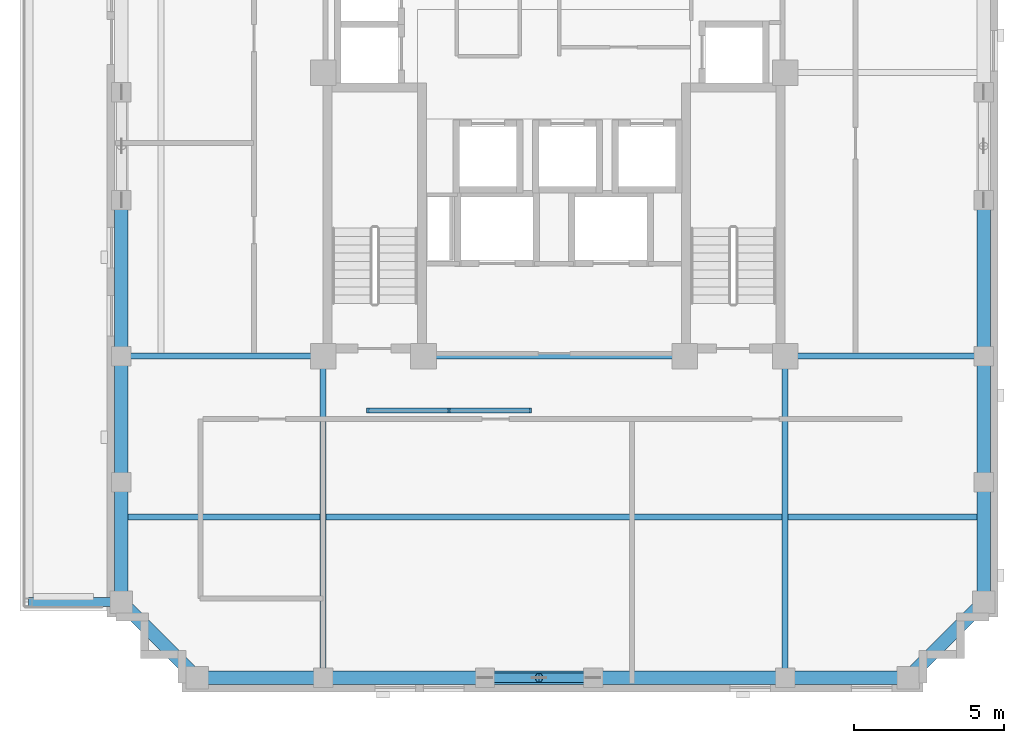
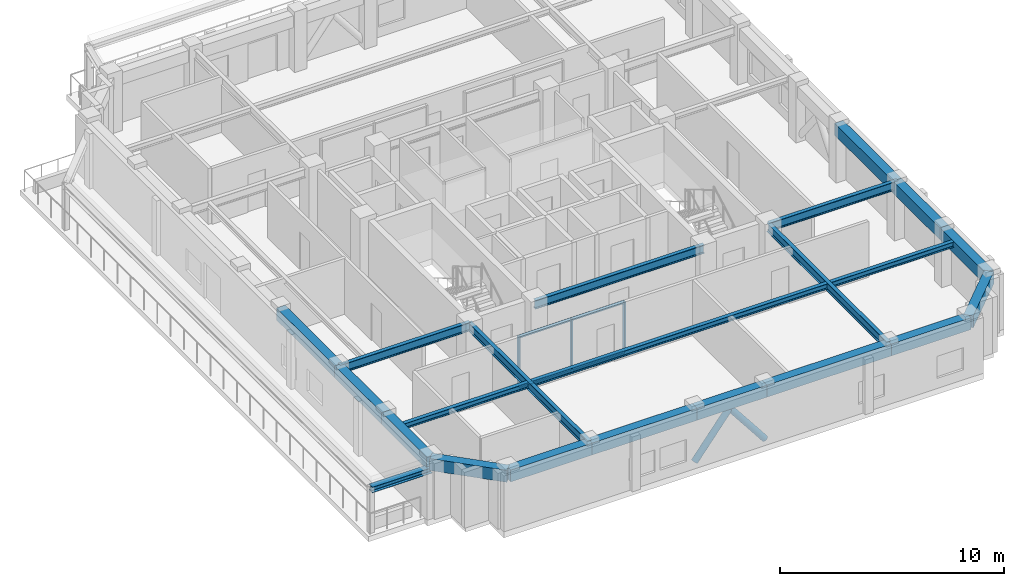
# One storey, part 4 of 14: 22 beams, 9 members, 1 element without a shape of its own.
"""IFC4 building model written with IfcOpenShell, lengths in metres."""

import ifcopenshell
import ifcopenshell.guid

model = None  # the IFC model being written
_history = None  # IfcOwnerHistory: only IFC2X3 demands one
_inside = {}  # id of a spatial element -> (the spatial element, [elements in it])
_under = {}  # id of a project, library or spatial element -> (it, [spatial elements below it])
_declared = {}  # id of a project -> (the project, [libraries it declares])
_typed = {}  # id of a type object -> (the type object, [elements of that type])
_made_of = {}  # id of a material, layer set ... -> (it, [elements and type objects made of it])


def new_model(schema):
    """Start an empty IFC model of exactly this schema.

    Asked for "IFC4X3", IfcOpenShell would pick the latest addendum, in which some entities
    have other attributes; the version numbers below select the first issue.
    IFC2X3 requires an IfcOwnerHistory on every rooted entity: one is made here for all.
    """
    global model, _history
    if schema == "IFC4X3":
        model = ifcopenshell.file(schema_version=(4, 3, 0, 0))
    else:
        model = ifcopenshell.file(schema=schema)
    _inside.clear()
    _under.clear()
    _declared.clear()
    _typed.clear()
    _made_of.clear()
    _history = None
    if model.schema == "IFC2X3":
        org = make("IfcOrganization", Name="unknown")
        user = make(
            "IfcPersonAndOrganization",
            ThePerson=make("IfcPerson", FamilyName="unknown"),
            TheOrganization=org,
        )
        app = make(
            "IfcApplication",
            ApplicationDeveloper=org,
            Version="unknown",
            ApplicationFullName="unknown",
            ApplicationIdentifier="unknown",
        )
        _history = make(
            "IfcOwnerHistory",
            OwningUser=user,
            OwningApplication=app,
            ChangeAction="ADDED",
            CreationDate=0,
        )
    return model


def make(cls, **values):
    """One entity of the class cls with the attributes given. An attribute that is None is left unset."""
    return model.create_entity(
        cls, **{name: value for name, value in values.items() if value is not None}
    )


def rooted(cls, **values):
    """An entity with a GlobalId (a new one), such as an element, a storey or a relation."""
    return make(cls, GlobalId=ifcopenshell.guid.new(), OwnerHistory=_history, **values)


def si_unit(unit_type, name, prefix=None):
    """IfcSIUnit, for example si_unit("LENGTHUNIT", "METRE", prefix="MILLI")."""
    return make("IfcSIUnit", UnitType=unit_type, Prefix=prefix, Name=name)


def derived_unit(unit_type, elements):
    """IfcDerivedUnit: a product of units, each with its exponent."""
    return make(
        "IfcDerivedUnit",
        Elements=[
            make("IfcDerivedUnitElement", Unit=unit, Exponent=power)
            for unit, power in elements
        ],
        UnitType=unit_type,
    )


def assignment(units):
    """IfcUnitAssignment: the units of a project."""
    return None if units is None else make("IfcUnitAssignment", Units=units)


def point(xyz):
    """IfcCartesianPoint."""
    return None if xyz is None else make("IfcCartesianPoint", Coordinates=xyz)


def direction(xyz):
    """IfcDirection."""
    return None if xyz is None else make("IfcDirection", DirectionRatios=xyz)


def frame(location, z_axis=None, x_axis=None):
    """IfcAxis2Placement3D, a coordinate frame: its origin and axes. An axis left out is left unset."""
    return make(
        "IfcAxis2Placement3D",
        Location=point(location),
        Axis=direction(z_axis),
        RefDirection=direction(x_axis),
    )


def frame_2d(location, x_axis=None):
    """IfcAxis2Placement2D, a coordinate frame in the plane: its origin and x axis."""
    return make(
        "IfcAxis2Placement2D", Location=point(location), RefDirection=direction(x_axis)
    )


def origin():
    """The frame at (0, 0, 0) with its axes left unset."""
    return frame((0.0, 0.0, 0.0))


def origin_2d():
    """The frame at (0, 0) in the plane with its x axis left unset."""
    return frame_2d((0.0, 0.0))


def place(relative_to, where):
    """IfcLocalPlacement: puts the frame where relative to a parent placement (None: the world)."""
    return make(
        "IfcLocalPlacement", PlacementRelTo=relative_to, RelativePlacement=where
    )


def context(
    kind, dimensions, precision=None, world=None, true_north=None, identifier=None
):
    """IfcGeometricRepresentationContext, for example the 3D "Model" context."""
    return make(
        "IfcGeometricRepresentationContext",
        ContextIdentifier=identifier,
        ContextType=kind,
        CoordinateSpaceDimension=dimensions,
        Precision=precision,
        WorldCoordinateSystem=world,
        TrueNorth=true_north,
    )


def subcontext(parent, identifier, kind, view, scale=None):
    """IfcGeometricRepresentationSubContext, for example "Body" below "Model"."""
    return make(
        "IfcGeometricRepresentationSubContext",
        ContextIdentifier=identifier,
        ContextType=kind,
        ParentContext=parent,
        TargetScale=scale,
        TargetView=view,
    )


def project(units=None, contexts=None):
    """IfcProject with its units and contexts."""
    return rooted(
        "IfcProject",
        Name="project",
        RepresentationContexts=contexts,
        UnitsInContext=assignment(units),
    )


def spatial(cls, under=None, at=None, **own):
    """A site, building, storey or space (cls), placed at a placement, below another one or the project."""
    s = rooted(cls, ObjectPlacement=at, **own)
    if under is not None:
        _under.setdefault(under.id(), (under, []))[1].append(s)
    return s


def profile(cls, at=None, kind="AREA", **sizes):
    """A parametric profile (cls). Its sizes go by their IFC names, for example OverallWidth=200.0."""
    return make(cls, ProfileType=kind, Position=at, **sizes)


def rectangle(**sizes):
    """IfcRectangleProfileDef."""
    return profile("IfcRectangleProfileDef", **sizes)


def hollow_circle(**sizes):
    """IfcCircleHollowProfileDef."""
    return profile("IfcCircleHollowProfileDef", **sizes)


def i_section(**sizes):
    """IfcIShapeProfileDef."""
    return profile("IfcIShapeProfileDef", **sizes)


def extrude(swept, where, along, depth):
    """IfcExtrudedAreaSolid: the profile swept, set in the frame where, extruded along a direction by depth."""
    return make(
        "IfcExtrudedAreaSolid",
        SweptArea=swept,
        Position=where,
        ExtrudedDirection=direction(along),
        Depth=depth,
    )


def shape(context_of_items, identifier, shape_type, items):
    """IfcShapeRepresentation: the items that make up one representation, for example the "Body"."""
    return make(
        "IfcShapeRepresentation",
        ContextOfItems=context_of_items,
        RepresentationIdentifier=identifier,
        RepresentationType=shape_type,
        Items=items,
    )


def material(Name=None, Category=None):
    """IfcMaterial."""
    return make("IfcMaterial", Name=Name, Category=Category)


def material_profile(
    of_material, cross_section, Name=None, Category=None, Priority=None
):
    """IfcMaterialProfile: a cross section and its material."""
    return make(
        "IfcMaterialProfile",
        Name=Name,
        Material=of_material,
        Profile=cross_section,
        Priority=Priority,
        Category=Category,
    )


def profile_set(profiles, Name=None, composite=None):
    """IfcMaterialProfileSet."""
    return make(
        "IfcMaterialProfileSet",
        Name=Name,
        MaterialProfiles=profiles,
        CompositeProfile=composite,
    )


def made_of(thing, what):
    """Note that an element or type object is made of a material, layer set ...; save() writes the relation."""
    if what is not None:
        _made_of.setdefault(what.id(), (what, []))[1].append(thing)
    return thing


def type_object(cls, material=None, **own):
    """A type object (cls), such as IfcWallType, which elements share."""
    return made_of(rooted(cls, **own), material)


def element(
    cls,
    number,
    at=None,
    inside=None,
    cuts=None,
    type_object=None,
    material=None,
    context=None,
    identifier="Body",
    shape_type=None,
    held_by="IfcProductDefinitionShape",
    body=None,
    shapes=None,
    **own,
):
    """One element of the class cls, such as IfcWall. Its Tag is "e" and its number.

    at: its placement. inside: the storey or other place that contains it. cuts: it is an
    opening in that element (IfcRelVoidsElement). A single representation is given by context,
    identifier, shape_type and body (its items); several are given by shapes. held_by: the class
    of the entity that holds the representations. save() writes the other relations.
    """
    e = rooted(cls, Tag="e%d" % number, ObjectPlacement=at, **own)
    if body is not None:
        shapes = [shape(context, identifier, shape_type, body)]
    if shapes is not None:
        e.Representation = make(held_by, Representations=shapes)
    if inside is not None:
        _inside.setdefault(inside.id(), (inside, []))[1].append(e)
    if cuts is not None:
        rooted(
            "IfcRelVoidsElement", RelatingBuildingElement=cuts, RelatedOpeningElement=e
        )
    if type_object is not None:
        _typed.setdefault(type_object.id(), (type_object, []))[1].append(e)
    return made_of(e, material)


def aggregate(whole, parts):
    """IfcRelAggregates: a whole, such as a stair, and the parts it consists of."""
    return rooted("IfcRelAggregates", RelatingObject=whole, RelatedObjects=parts)


def save(model, path):
    """Write the relations noted so far, then the file.

    IfcRelAggregates (storeys below a building ...), IfcRelContainedInSpatialStructure (elements
    in a storey), IfcRelDefinesByType, IfcRelAssociatesMaterial and IfcRelDeclares: one each for
    every whole, place, type object, material and project.
    """
    for whole, parts in _under.values():
        aggregate(whole, parts)
    for where, things in _inside.values():
        rooted(
            "IfcRelContainedInSpatialStructure",
            RelatedElements=things,
            RelatingStructure=where,
        )
    for kind, things in _typed.values():
        rooted("IfcRelDefinesByType", RelatedObjects=things, RelatingType=kind)
    for what, things in _made_of.values():
        rooted("IfcRelAssociatesMaterial", RelatedObjects=things, RelatingMaterial=what)
    for by, libraries in _declared.values():
        rooted("IfcRelDeclares", RelatingContext=by, RelatedDefinitions=libraries)
    model.write(path)


model = new_model("IFC4")

# Units and contexts
model_context = context("Model", 3, precision=1e-05, world=origin(), true_north=direction((0.0, 1.0)))
body_context = subcontext(model_context, "Body", "Model", "MODEL_VIEW")
ifc_project = project(units=[si_unit("LENGTHUNIT", "METRE"), si_unit("AREAUNIT", "SQUARE_METRE"), si_unit("VOLUMEUNIT", "CUBIC_METRE"), si_unit("PLANEANGLEUNIT", "RADIAN"), si_unit("MASSUNIT", "GRAM", prefix="KILO"), derived_unit("THERMALTRANSMITTANCEUNIT", [(si_unit("MASSUNIT", "GRAM", prefix="KILO"), 1), (si_unit("TIMEUNIT", "SECOND"), -3), (si_unit("THERMODYNAMICTEMPERATUREUNIT", "KELVIN"), -1)])], contexts=[model_context])

# Site, building, storey
site_placement = place(None, origin())
site = spatial("IfcSite", under=ifc_project, at=site_placement, CompositionType="ELEMENT")
building_placement = place(site_placement, origin())
building = spatial("IfcBuilding", under=site, at=building_placement, Name="Korrvale Station Residences", CompositionType="ELEMENT")
storey_placement = place(building_placement, frame((0.0, 0.0, 174.39990234375)))
storey = spatial("IfcBuildingStorey", under=building, at=storey_placement, Name="L50", CompositionType="ELEMENT", Elevation=174.39990234375)

# Beams
ifc_material_1 = material(Name="Steel S355", Category="steel")
ifc_material_profile_1 = material_profile(ifc_material_1, i_section(OverallWidth=0.194091796875, OverallDepth=0.468994140625, WebThickness=0.0126953125, FlangeThickness=0.0205078125, FilletRadius=0.01611328125, at=origin_2d()), Name="W460x106")
ifc_profile_set_1 = profile_set([ifc_material_profile_1], Name="Steel S355")
beam_type_1 = type_object("IfcBeamType", Name="BM-BM-W460x106-S355", PredefinedType="BEAM", material=ifc_profile_set_1)
for number, where, z_axis, x_axis, name in (
    (1, (17.800048828125, 4.280029296875, 2.8056640625), (0.0, 1.0, 0.0), (-1.0, 0.0, 0.0), "L50 Bundled-Tube Web Girder 01"),
    (2, (33.199951171875, 4.280029296875, 2.8056640625), (0.0, 1.0, 0.0), (-1.0, 0.0, 0.0), "L50 Bundled-Tube Web Girder 02"),
):
    element("IfcBeam", number, at=place(storey_placement, frame(where, z_axis=z_axis, x_axis=x_axis)), inside=storey, type_object=beam_type_1, Name=name, PredefinedType="BEAM", context=body_context, shape_type="SweptSolid", body=[
        extrude(i_section(OverallWidth=0.194091796875, OverallDepth=0.468994140625, WebThickness=0.0126953125, FlangeThickness=0.0205078125, FilletRadius=0.01611328125, at=origin_2d()), origin(), (0.0, 0.0, 1.0), 10.719970703125),
    ])
beam_1_placement = place(storey_placement, frame((11.080078125, 15.0, 2.8056640625), z_axis=(1.0, 0.0, 0.0), x_axis=(0.0, 1.0, 0.0)))
element("IfcBeam", 3, at=beam_1_placement, inside=storey, type_object=beam_type_1, Name="L50 Bundled-Tube Web Girder 05", PredefinedType="BEAM", context=body_context, shape_type="SweptSolid", body=[
    extrude(i_section(OverallWidth=0.194091796875, OverallDepth=0.468994140625, WebThickness=0.0126953125, FlangeThickness=0.0205078125, FilletRadius=0.01611328125, at=origin_2d()), origin(), (0.0, 0.0, 1.0), 6.719970703125),
])
beam_2_placement = place(storey_placement, frame((33.199951171875, 15.0, 2.8056640625), z_axis=(1.0, 0.0, 0.0), x_axis=(0.0, 1.0, 0.0)))
element("IfcBeam", 4, at=beam_2_placement, inside=storey, type_object=beam_type_1, Name="L50 Bundled-Tube Web Girder 06", PredefinedType="BEAM", context=body_context, shape_type="SweptSolid", body=[
    extrude(i_section(OverallWidth=0.194091796875, OverallDepth=0.468994140625, WebThickness=0.0126953125, FlangeThickness=0.0205078125, FilletRadius=0.01611328125, at=origin_2d()), origin(), (0.0, 0.0, 1.0), 6.6201171875),
])
beam_3_placement = place(storey_placement, frame((21.14990234375, 15.0, 2.8056640625), z_axis=(1.0, 0.0, 0.0), x_axis=(0.0, 1.0, 0.0)))
element("IfcBeam", 5, at=beam_3_placement, inside=storey, type_object=beam_type_1, Name="L50 Bundled-Tube Web Girder 09", PredefinedType="BEAM", context=body_context, shape_type="SweptSolid", body=[
    extrude(i_section(OverallWidth=0.194091796875, OverallDepth=0.468994140625, WebThickness=0.0126953125, FlangeThickness=0.0205078125, FilletRadius=0.01611328125, at=origin_2d()), origin(), (0.0, 0.0, 1.0), 8.7001953125),
])
ifc_material_profile_2 = material_profile(ifc_material_1, i_section(OverallWidth=0.202880859375, OverallDepth=0.302978515625, WebThickness=0.007568359375, FlangeThickness=0.01318359375, FilletRadius=0.014892578125, at=origin_2d()), Name="W310x60")
ifc_profile_set_2 = profile_set([ifc_material_profile_2], Name="Steel S355")
beam_type_2 = type_object("IfcBeamType", Name="BM-JST-W310x60-S355", PredefinedType="JOIST", material=ifc_profile_set_2)
beam_4_placement = place(storey_placement, frame((11.304931640625, 9.639892578125, 2.888671875), z_axis=(1.0, 0.0, 0.0), x_axis=(0.0, 1.0, 0.0)))
element("IfcBeam", 6, at=beam_4_placement, inside=storey, type_object=beam_type_2, Name="L50 Floor Framing Joist 01", PredefinedType="JOIST", context=body_context, shape_type="SweptSolid", body=[
    extrude(i_section(OverallWidth=0.202880859375, OverallDepth=0.302978515625, WebThickness=0.007568359375, FlangeThickness=0.01318359375, FilletRadius=0.014892578125, at=origin_2d()), origin(), (0.0, 0.0, 1.0), 6.39794921875),
])
beam_5_placement = place(storey_placement, frame((17.89697265625, 9.639892578125, 2.888671875), z_axis=(1.0, 0.0, 0.0), x_axis=(0.0, 1.0, 0.0)))
element("IfcBeam", 7, at=beam_5_placement, inside=storey, type_object=beam_type_2, Name="L50 Floor Framing Joist 02", PredefinedType="JOIST", context=body_context, shape_type="SweptSolid", body=[
    extrude(i_section(OverallWidth=0.202880859375, OverallDepth=0.302978515625, WebThickness=0.007568359375, FlangeThickness=0.01318359375, FilletRadius=0.014892578125, at=origin_2d()), origin(), (0.0, 0.0, 1.0), 15.2060546875),
])
beam_6_placement = place(storey_placement, frame((33.297119140625, 9.639892578125, 2.888671875), z_axis=(1.0, 0.0, 0.0), x_axis=(0.0, 1.0, 0.0)))
element("IfcBeam", 8, at=beam_6_placement, inside=storey, type_object=beam_type_2, Name="L50 Floor Framing Joist 03", PredefinedType="JOIST", context=body_context, shape_type="SweptSolid", body=[
    extrude(i_section(OverallWidth=0.202880859375, OverallDepth=0.302978515625, WebThickness=0.007568359375, FlangeThickness=0.01318359375, FilletRadius=0.014892578125, at=origin_2d()), origin(), (0.0, 0.0, 1.0), 6.2978515625),
])
ifc_material_2 = material(Name="Concrete C50/60", Category="concrete")
ifc_material_profile_3 = material_profile(ifc_material_2, rectangle(XDim=0.449951171875, YDim=0.64990234375, at=origin_2d()), Name="RCB450x650")
ifc_profile_set_3 = profile_set([ifc_material_profile_3], Name="Concrete C50/60")
beam_type_3 = type_object("IfcBeamType", Name="BM-SPB-RCB450x650-C5060", PredefinedType="SPANDREL", material=ifc_profile_set_3)
beam_7_placement = place(storey_placement, frame((13.60009765625, 4.280029296875, 2.715087890625), z_axis=(1.0, 0.0, 0.0), x_axis=(0.0, 1.0, 0.0)))
element("IfcBeam", 9, at=beam_7_placement, inside=storey, type_object=beam_type_3, Name="L50 South Tube Spandrel 01", PredefinedType="SPANDREL", context=body_context, shape_type="SweptSolid", body=[
    extrude(rectangle(XDim=0.449951171875, YDim=0.64990234375, at=origin_2d()), origin(), (0.0, 0.0, 1.0), 4.199951171875),
])
beam_8_placement = place(storey_placement, frame((17.800048828125, 4.280029296875, 2.715087890625), z_axis=(1.0, 0.0, 0.0), x_axis=(0.0, 1.0, 0.0)))
element("IfcBeam", 10, at=beam_8_placement, inside=storey, type_object=beam_type_3, Name="L50 South Tube Spandrel 02", PredefinedType="SPANDREL", context=body_context, shape_type="SweptSolid", body=[
    extrude(rectangle(XDim=0.449951171875, YDim=0.64990234375, at=origin_2d()), origin(), (0.0, 0.0, 1.0), 5.39990234375),
])
beam_9_placement = place(storey_placement, frame((23.199951171875, 4.280029296875, 2.715087890625), z_axis=(1.0, 0.0, 0.0), x_axis=(0.0, 1.0, 0.0)))
element("IfcBeam", 11, at=beam_9_placement, inside=storey, type_object=beam_type_3, Name="L50 South Tube Spandrel 03", PredefinedType="SPANDREL", context=body_context, shape_type="SweptSolid", body=[
    extrude(rectangle(XDim=0.449951171875, YDim=0.64990234375, at=origin_2d()), origin(), (0.0, 0.0, 1.0), 3.60009765625),
])
beam_10_placement = place(storey_placement, frame((26.800048828125, 4.280029296875, 2.715087890625), z_axis=(1.0, 0.0, 0.0), x_axis=(0.0, 1.0, 0.0)))
element("IfcBeam", 12, at=beam_10_placement, inside=storey, type_object=beam_type_3, Name="L50 South Tube Spandrel 04", PredefinedType="SPANDREL", context=body_context, shape_type="SweptSolid", body=[
    extrude(rectangle(XDim=0.449951171875, YDim=0.64990234375, at=origin_2d()), origin(), (0.0, 0.0, 1.0), 6.39990234375),
])
beam_11_placement = place(storey_placement, frame((33.199951171875, 4.280029296875, 2.715087890625), z_axis=(1.0, 0.0, 0.0), x_axis=(0.0, 1.0, 0.0)))
element("IfcBeam", 13, at=beam_11_placement, inside=storey, type_object=beam_type_3, Name="L50 South Tube Spandrel 05", PredefinedType="SPANDREL", context=body_context, shape_type="SweptSolid", body=[
    extrude(rectangle(XDim=0.449951171875, YDim=0.64990234375, at=origin_2d()), origin(), (0.0, 0.0, 1.0), 4.10009765625),
])
beam_12_placement = place(storey_placement, frame((11.080078125, 6.800048828125, 2.715087890625), z_axis=(0.0, 1.0, 0.0), x_axis=(-1.0, 0.0, 0.0)))
element("IfcBeam", 14, at=beam_12_placement, inside=storey, type_object=beam_type_3, Name="L50 West Tube Spandrel 11", PredefinedType="SPANDREL", context=body_context, shape_type="SweptSolid", body=[
    extrude(rectangle(XDim=0.449951171875, YDim=0.64990234375, at=origin_2d()), origin(), (0.0, 0.0, 1.0), 4.0),
])
beam_13_placement = place(storey_placement, frame((11.080078125, 10.800048828125, 2.715087890625), z_axis=(0.0, 1.0, 0.0), x_axis=(-1.0, 0.0, 0.0)))
element("IfcBeam", 15, at=beam_13_placement, inside=storey, type_object=beam_type_3, Name="L50 West Tube Spandrel 12", PredefinedType="SPANDREL", context=body_context, shape_type="SweptSolid", body=[
    extrude(rectangle(XDim=0.449951171875, YDim=0.64990234375, at=origin_2d()), origin(), (0.0, 0.0, 1.0), 4.199951171875),
])
beam_14_placement = place(storey_placement, frame((11.080078125, 15.0, 2.715087890625), z_axis=(0.0, 1.0, 0.0), x_axis=(-1.0, 0.0, 0.0)))
element("IfcBeam", 16, at=beam_14_placement, inside=storey, type_object=beam_type_3, Name="L50 West Tube Spandrel 13", PredefinedType="SPANDREL", context=body_context, shape_type="SweptSolid", body=[
    extrude(rectangle(XDim=0.449951171875, YDim=0.64990234375, at=origin_2d()), origin(), (0.0, 0.0, 1.0), 5.199951171875),
])
beam_15_placement = place(storey_placement, frame((39.820068359375, 6.800048828125, 2.715087890625), z_axis=(0.0, 1.0, 0.0), x_axis=(-1.0, 0.0, 0.0)))
element("IfcBeam", 17, at=beam_15_placement, inside=storey, type_object=beam_type_3, Name="L50 East Tube Spandrel 18", PredefinedType="SPANDREL", context=body_context, shape_type="SweptSolid", body=[
    extrude(rectangle(XDim=0.449951171875, YDim=0.64990234375, at=origin_2d()), origin(), (0.0, 0.0, 1.0), 4.0),
])
beam_16_placement = place(storey_placement, frame((39.820068359375, 10.800048828125, 2.715087890625), z_axis=(0.0, 1.0, 0.0), x_axis=(-1.0, 0.0, 0.0)))
element("IfcBeam", 18, at=beam_16_placement, inside=storey, type_object=beam_type_3, Name="L50 East Tube Spandrel 19", PredefinedType="SPANDREL", context=body_context, shape_type="SweptSolid", body=[
    extrude(rectangle(XDim=0.449951171875, YDim=0.64990234375, at=origin_2d()), origin(), (0.0, 0.0, 1.0), 4.199951171875),
])
beam_17_placement = place(storey_placement, frame((39.820068359375, 15.0, 2.715087890625), z_axis=(0.0, 1.0, 0.0), x_axis=(-1.0, 0.0, 0.0)))
element("IfcBeam", 19, at=beam_17_placement, inside=storey, type_object=beam_type_3, Name="L50 East Tube Spandrel 20", PredefinedType="SPANDREL", context=body_context, shape_type="SweptSolid", body=[
    extrude(rectangle(XDim=0.449951171875, YDim=0.64990234375, at=origin_2d()), origin(), (0.0, 0.0, 1.0), 5.199951171875),
])
for number, where, z_axis, x_axis, name in (
    (20, (13.60009765625, 4.280029296875, 2.715087890625), (-0.707106781187, 0.707106781187, 0.0), (-0.707106781187, -0.707106781187, 0.0), "L50 Serrated Corner Spandrel 25"),
    (21, (37.300048828125, 4.280029296875, 2.715087890625), (0.707106781187, 0.707106781187, 0.0), (-0.707106781187, 0.707106781187, 0.0), "L50 Serrated Corner Spandrel 26"),
):
    element("IfcBeam", number, at=place(storey_placement, frame(where, z_axis=z_axis, x_axis=x_axis)), inside=storey, type_object=beam_type_3, Name=name, PredefinedType="SPANDREL", context=body_context, shape_type="SweptSolid", body=[
        extrude(rectangle(XDim=0.449951171875, YDim=0.64990234375, at=origin_2d()), origin(), (0.0, 0.0, 1.0), 3.56396484375),
    ])
ifc_material_profile_4 = material_profile(ifc_material_1, i_section(OverallWidth=0.304931640625, OverallDepth=0.30810546875, WebThickness=0.010009765625, FlangeThickness=0.015380859375, FilletRadius=0.014892578125, at=origin_2d()), Name="W310x97")
ifc_profile_set_4 = profile_set([ifc_material_profile_4], Name="Steel S355")
beam_type_4 = type_object("IfcBeamType", Name="BM-SPB-W310x97-S355", PredefinedType="SPANDREL", material=ifc_profile_set_4)
beam_18_placement = place(storey_placement, frame((7.97998046875, 6.800048828125, 2.34619140625), z_axis=(1.0, 0.0, 0.0), x_axis=(0.0, 1.0, 0.0)))
element("IfcBeam", 22, at=beam_18_placement, inside=storey, type_object=beam_type_4, Name="L50 Setback Canopy Edge Beam 2", PredefinedType="SPANDREL", context=body_context, shape_type="SweptSolid", body=[
    extrude(i_section(OverallWidth=0.304931640625, OverallDepth=0.30810546875, WebThickness=0.010009765625, FlangeThickness=0.015380859375, FilletRadius=0.014892578125, at=origin_2d()), origin(), (0.0, 0.0, 1.0), 3.10009765625),
])

# Curtain wall, members
ifc_material_3 = material(Name="Unitised thermally broken aluminium curtain wall with triple low-e IGU", Category="aluminium")
curtain_wall_type = type_object("IfcCurtainWallType", Name="CW-SKY-L35", PredefinedType="NOTDEFINED", material=ifc_material_3)
curtain_wall_placement = place(storey_placement, origin())
curtain_wall = element("IfcCurtainWall", 23, at=curtain_wall_placement, inside=storey, type_object=curtain_wall_type, Name="L50 Curtain Wall CW4-RUN-6", PredefinedType="NOTDEFINED")
ifc_material_4 = material(Name="Extruded thermally broken aluminium mullion", Category="aluminium")
member_type_1 = type_object("IfcMemberType", Name="CW-SKY-L35-M", PredefinedType="MULLION", material=ifc_material_4)
member_1_placement = place(storey_placement, frame((19.28759765625, 13.179931640625, 0.0), z_axis=(0.0, 0.0, 1.0), x_axis=(1.0, 0.0, 0.0)))
member_1 = element("IfcMember", 24, at=member_1_placement, type_object=member_type_1, Name="CW-SKY-L35 Mullion 1", PredefinedType="MULLION", context=body_context, shape_type="SweptSolid", body=[
    extrude(rectangle(XDim=0.074951171875, YDim=0.1650390625, at=origin_2d()), origin(), (0.0, 0.0, 1.0), 2.820068359375),
])
member_2_placement = place(storey_placement, frame((22.0, 13.179931640625, 0.0), z_axis=(0.0, 0.0, 1.0), x_axis=(1.0, 0.0, 0.0)))
member_2 = element("IfcMember", 25, at=member_2_placement, type_object=member_type_1, Name="CW-SKY-L35 Mullion 2", PredefinedType="MULLION", context=body_context, shape_type="SweptSolid", body=[
    extrude(rectangle(XDim=0.074951171875, YDim=0.1650390625, at=origin_2d()), origin(), (0.0, 0.0, 1.0), 2.820068359375),
])
member_3_placement = place(storey_placement, frame((24.71240234375, 13.179931640625, 0.0), z_axis=(0.0, 0.0, 1.0), x_axis=(1.0, 0.0, 0.0)))
member_3 = element("IfcMember", 26, at=member_3_placement, type_object=member_type_1, Name="CW-SKY-L35 Mullion 3", PredefinedType="MULLION", context=body_context, shape_type="SweptSolid", body=[
    extrude(rectangle(XDim=0.074951171875, YDim=0.1650390625, at=origin_2d()), origin(), (0.0, 0.0, 1.0), 2.820068359375),
])
ifc_material_5 = material(Name="Extruded thermally broken aluminium transom", Category="aluminium")
member_type_2 = type_object("IfcMemberType", Name="CW-SKY-L35-T", PredefinedType="USERDEFINED", material=ifc_material_5)
member_4_placement = place(storey_placement, frame((20.625, 13.179931640625, 0.0), z_axis=(0.0, 0.0, 1.0), x_axis=(1.0, 0.0, 0.0)))
member_4 = element("IfcMember", 27, at=member_4_placement, type_object=member_type_2, Name="CW-SKY-L35 Transom 1-1", ObjectType="TRANSOM", PredefinedType="USERDEFINED", context=body_context, shape_type="SweptSolid", body=[
    extrude(rectangle(XDim=2.675048828125, YDim=0.1650390625, at=origin_2d()), origin(), (0.0, 0.0, 1.0), 0.074951171875),
])
member_5_placement = place(storey_placement, frame((20.625, 13.179931640625, 2.7451171875), z_axis=(0.0, 0.0, 1.0), x_axis=(1.0, 0.0, 0.0)))
member_5 = element("IfcMember", 28, at=member_5_placement, type_object=member_type_2, Name="CW-SKY-L35 Transom 1-2", ObjectType="TRANSOM", PredefinedType="USERDEFINED", context=body_context, shape_type="SweptSolid", body=[
    extrude(rectangle(XDim=2.675048828125, YDim=0.1650390625, at=origin_2d()), origin(), (0.0, 0.0, 1.0), 0.074951171875),
])
member_6_placement = place(storey_placement, frame((23.375, 13.179931640625, 0.0), z_axis=(0.0, 0.0, 1.0), x_axis=(1.0, 0.0, 0.0)))
member_6 = element("IfcMember", 29, at=member_6_placement, type_object=member_type_2, Name="CW-SKY-L35 Transom 2-1", ObjectType="TRANSOM", PredefinedType="USERDEFINED", context=body_context, shape_type="SweptSolid", body=[
    extrude(rectangle(XDim=2.675048828125, YDim=0.1650390625, at=origin_2d()), origin(), (0.0, 0.0, 1.0), 0.074951171875),
])
member_7_placement = place(storey_placement, frame((23.375, 13.179931640625, 2.7451171875), z_axis=(0.0, 0.0, 1.0), x_axis=(1.0, 0.0, 0.0)))
member_7 = element("IfcMember", 30, at=member_7_placement, type_object=member_type_2, Name="CW-SKY-L35 Transom 2-2", ObjectType="TRANSOM", PredefinedType="USERDEFINED", context=body_context, shape_type="SweptSolid", body=[
    extrude(rectangle(XDim=2.675048828125, YDim=0.1650390625, at=origin_2d()), origin(), (0.0, 0.0, 1.0), 0.074951171875),
])
aggregate(curtain_wall, [member_1, member_2, member_3, member_4, member_5, member_6, member_7])

# Members
ifc_material_profile_5 = material_profile(ifc_material_1, hollow_circle(Radius=0.161865234375, WallThickness=0.015869140625, at=origin_2d()), Name="HSS324x16")
ifc_profile_set_5 = profile_set([ifc_material_profile_5], Name="Steel S355")
member_type_3 = type_object("IfcMemberType", Name="MBR-BR-HSS324x16", PredefinedType="BRACE", material=ifc_profile_set_5)
for number, where, z_axis, x_axis, name in (
    (31, (23.199951171875, 4.280029296875, 0.02001953125), (0.617977009695, 0.0, 0.786196168579), (0.0, 1.0, 0.0), "L50 S Perimeter Tube Wind Brace 1"),
    (32, (26.800048828125, 4.280029296875, 0.02001953125), (-0.617977009695, 0.0, 0.786196168579), (0.0, -1.0, 0.0), "L50 S Perimeter Tube Wind Brace 2"),
):
    element("IfcMember", number, at=place(storey_placement, frame(where, z_axis=z_axis, x_axis=x_axis)), inside=storey, type_object=member_type_3, Name=name, PredefinedType="BRACE", context=body_context, shape_type="SweptSolid", body=[
        extrude(hollow_circle(Radius=0.161865234375, WallThickness=0.015869140625, at=origin_2d()), origin(), (0.0, 0.0, 1.0), 2.912841796875),
    ])

save(model, "model.ifc")
